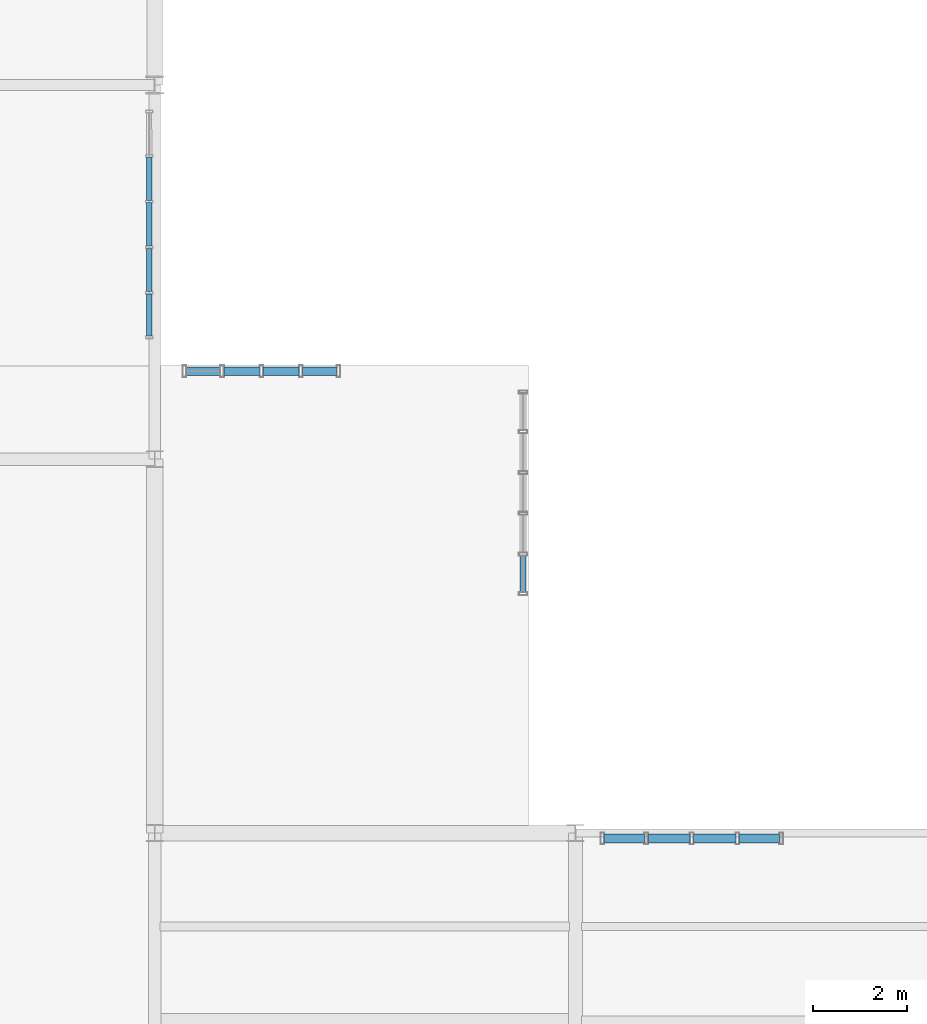
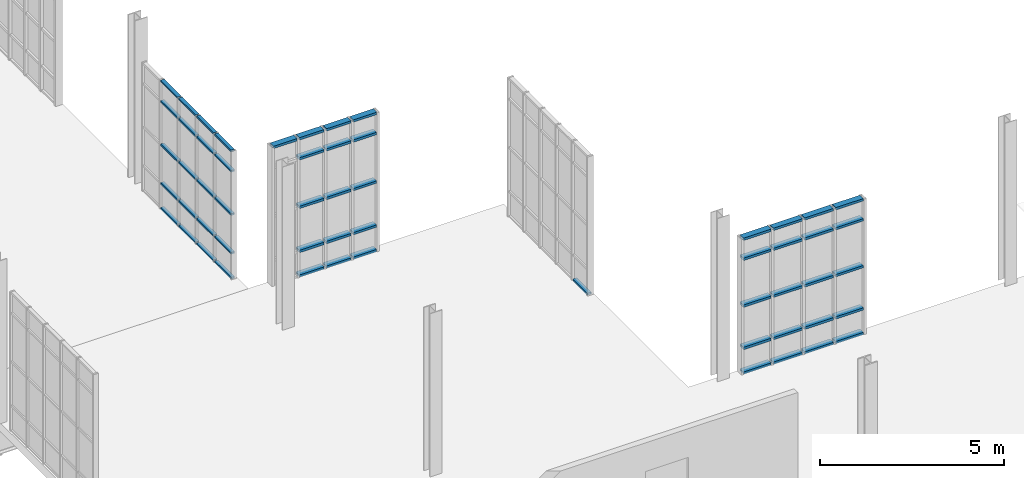
# One storey, part 130 of 189: 57 members, 4 elements without a shape of their own.
"""IFC4 building model written with IfcOpenShell, lengths in metres."""

from ifc_helpers import new_model, si_unit, direction, frame, origin, origin_2d, place, context, subcontext, project, spatial, hollow_rectangle, extrude, material, layer, layer_set, material_profile, profile_set, type_object, element, aggregate, save


model = new_model("IFC4")

# Units and contexts
model_context = context("Model", 3, precision=1e-05, world=origin(), true_north=direction((0.0, 1.0)))
body_context = subcontext(model_context, "Body", "Model", "MODEL_VIEW")
ifc_project = project(units=[si_unit("LENGTHUNIT", "METRE"), si_unit("AREAUNIT", "SQUARE_METRE"), si_unit("VOLUMEUNIT", "CUBIC_METRE"), si_unit("PLANEANGLEUNIT", "RADIAN"), si_unit("MASSUNIT", "GRAM", prefix="KILO"), si_unit("THERMODYNAMICTEMPERATUREUNIT", "KELVIN"), si_unit("POWERUNIT", "WATT")], contexts=[model_context])

# Site, building, storey
site_placement = place(None, origin())
site = spatial("IfcSite", under=ifc_project, at=site_placement, CompositionType="ELEMENT")
building_placement = place(site_placement, origin())
building = spatial("IfcBuilding", under=site, at=building_placement, Name="Zelmaris Science Centre", CompositionType="ELEMENT")
storey_placement = place(building_placement, origin())
storey = spatial("IfcBuildingStorey", under=building, at=storey_placement, Name="L00", CompositionType="ELEMENT", Elevation=0.0)

# Curtain wall, members
ifc_material = material(Name="Anodised architectural aluminium 6063-T6", Category="aluminium")
ifc_layer_1 = layer(ifc_material, 0.219970703125, Name="Anodised architectural aluminium 6063-T6")
ifc_layer_set_1 = layer_set([ifc_layer_1], Name="Anodised architectural aluminium 6063-T6")
curtain_wall_type_1 = type_object("IfcCurtainWallType", Name="Curtain Wall CW-04", PredefinedType="USERDEFINED", material=ifc_layer_set_1)
curtain_wall_1_placement = place(storey_placement, origin())
curtain_wall_1 = element("IfcCurtainWall", 1, at=curtain_wall_1_placement, inside=storey, type_object=curtain_wall_type_1, Name="L00 Unitised curtain wall 88", ObjectType="GLAZED CURTAIN WALL", PredefinedType="USERDEFINED")
ifc_material_profile_1 = material_profile(ifc_material, hollow_rectangle(XDim=0.06005859375, YDim=0.110107421875, WallThickness=0.0029296875, at=origin_2d()), Name="ALU-TRN-60X110")
ifc_profile_set_1 = profile_set([ifc_material_profile_1], Name="Anodised architectural aluminium 6063-T6")
member_type_1 = type_object("IfcMemberType", Name="ALU-TRN-60X110", PredefinedType="USERDEFINED", material=ifc_profile_set_1)
member_1_placement = place(storey_placement, frame((107.882080078125, 70.45849609375, 0.010986328125), z_axis=(0.0, -1.0, 0.0), x_axis=(0.0, 0.0, 1.0)))
member_1 = element("IfcMember", 2, at=member_1_placement, type_object=member_type_1, Name="CW-04 transom 2.1", ObjectType="TRANSOM", PredefinedType="USERDEFINED", context=body_context, shape_type="SweptSolid", body=[
    extrude(hollow_rectangle(XDim=0.06005859375, YDim=0.110107421875, WallThickness=0.0029296875, at=origin_2d()), origin(), (0.0, 0.0, 1.0), 0.92333984375),
])
member_2_placement = place(storey_placement, frame((107.882080078125, 70.45849609375, 0.8349609375), z_axis=(0.0, -1.0, 0.0), x_axis=(0.0, 0.0, 1.0)))
member_2 = element("IfcMember", 3, at=member_2_placement, type_object=member_type_1, Name="CW-04 transom 2.2", ObjectType="TRANSOM", PredefinedType="USERDEFINED", context=body_context, shape_type="SweptSolid", body=[
    extrude(hollow_rectangle(XDim=0.06005859375, YDim=0.110107421875, WallThickness=0.0029296875, at=origin_2d()), origin(), (0.0, 0.0, 1.0), 0.92333984375),
])
member_3_placement = place(storey_placement, frame((107.882080078125, 70.45849609375, 2.116943359375), z_axis=(0.0, -1.0, 0.0), x_axis=(0.0, 0.0, 1.0)))
member_3 = element("IfcMember", 4, at=member_3_placement, type_object=member_type_1, Name="CW-04 transom 2.3", ObjectType="TRANSOM", PredefinedType="USERDEFINED", context=body_context, shape_type="SweptSolid", body=[
    extrude(hollow_rectangle(XDim=0.06005859375, YDim=0.110107421875, WallThickness=0.0029296875, at=origin_2d()), origin(), (0.0, 0.0, 1.0), 0.92333984375),
])
member_4_placement = place(storey_placement, frame((107.882080078125, 70.45849609375, 3.549072265625), z_axis=(0.0, -1.0, 0.0), x_axis=(0.0, 0.0, 1.0)))
member_4 = element("IfcMember", 5, at=member_4_placement, type_object=member_type_1, Name="CW-04 transom 2.4", ObjectType="TRANSOM", PredefinedType="USERDEFINED", context=body_context, shape_type="SweptSolid", body=[
    extrude(hollow_rectangle(XDim=0.06005859375, YDim=0.110107421875, WallThickness=0.0029296875, at=origin_2d()), origin(), (0.0, 0.0, 1.0), 0.92333984375),
])
member_5_placement = place(storey_placement, frame((107.882080078125, 70.45849609375, 4.222900390625), z_axis=(0.0, -1.0, 0.0), x_axis=(0.0, 0.0, 1.0)))
member_5 = element("IfcMember", 6, at=member_5_placement, type_object=member_type_1, Name="CW-04 transom 2.5", ObjectType="TRANSOM", PredefinedType="USERDEFINED", context=body_context, shape_type="SweptSolid", body=[
    extrude(hollow_rectangle(XDim=0.06005859375, YDim=0.110107421875, WallThickness=0.0029296875, at=origin_2d()), origin(), (0.0, 0.0, 1.0), 0.92333984375),
])
member_6_placement = place(storey_placement, frame((107.882080078125, 69.483154296875, 0.010986328125), z_axis=(0.000264340461, -0.999999965062, 0.0), x_axis=(0.0, 0.0, 1.0)))
member_6 = element("IfcMember", 7, at=member_6_placement, type_object=member_type_1, Name="CW-04 transom 3.1", ObjectType="TRANSOM", PredefinedType="USERDEFINED", context=body_context, shape_type="SweptSolid", body=[
    extrude(hollow_rectangle(XDim=0.06005859375, YDim=0.110107421875, WallThickness=0.0029296875, at=origin_2d()), origin(), (0.0, 0.0, 1.0), 0.923583984375),
])
member_7_placement = place(storey_placement, frame((107.882080078125, 69.483154296875, 0.8349609375), z_axis=(0.000264340461, -0.999999965062, 0.0), x_axis=(0.0, 0.0, 1.0)))
member_7 = element("IfcMember", 8, at=member_7_placement, type_object=member_type_1, Name="CW-04 transom 3.2", ObjectType="TRANSOM", PredefinedType="USERDEFINED", context=body_context, shape_type="SweptSolid", body=[
    extrude(hollow_rectangle(XDim=0.06005859375, YDim=0.110107421875, WallThickness=0.0029296875, at=origin_2d()), origin(), (0.0, 0.0, 1.0), 0.923583984375),
])
member_8_placement = place(storey_placement, frame((107.882080078125, 69.483154296875, 2.116943359375), z_axis=(0.000264340461, -0.999999965062, 0.0), x_axis=(0.0, 0.0, 1.0)))
member_8 = element("IfcMember", 9, at=member_8_placement, type_object=member_type_1, Name="CW-04 transom 3.3", ObjectType="TRANSOM", PredefinedType="USERDEFINED", context=body_context, shape_type="SweptSolid", body=[
    extrude(hollow_rectangle(XDim=0.06005859375, YDim=0.110107421875, WallThickness=0.0029296875, at=origin_2d()), origin(), (0.0, 0.0, 1.0), 0.923583984375),
])
member_9_placement = place(storey_placement, frame((107.882080078125, 69.483154296875, 3.549072265625), z_axis=(0.000264340461, -0.999999965062, 0.0), x_axis=(0.0, 0.0, 1.0)))
member_9 = element("IfcMember", 10, at=member_9_placement, type_object=member_type_1, Name="CW-04 transom 3.4", ObjectType="TRANSOM", PredefinedType="USERDEFINED", context=body_context, shape_type="SweptSolid", body=[
    extrude(hollow_rectangle(XDim=0.06005859375, YDim=0.110107421875, WallThickness=0.0029296875, at=origin_2d()), origin(), (0.0, 0.0, 1.0), 0.923583984375),
])
member_10_placement = place(storey_placement, frame((107.882080078125, 69.483154296875, 4.222900390625), z_axis=(0.000264340461, -0.999999965062, 0.0), x_axis=(0.0, 0.0, 1.0)))
member_10 = element("IfcMember", 11, at=member_10_placement, type_object=member_type_1, Name="CW-04 transom 3.5", ObjectType="TRANSOM", PredefinedType="USERDEFINED", context=body_context, shape_type="SweptSolid", body=[
    extrude(hollow_rectangle(XDim=0.06005859375, YDim=0.110107421875, WallThickness=0.0029296875, at=origin_2d()), origin(), (0.0, 0.0, 1.0), 0.923583984375),
])
member_11_placement = place(storey_placement, frame((107.88232421875, 68.507568359375, 0.010986328125), z_axis=(0.0, -1.0, 0.0), x_axis=(0.0, 0.0, 1.0)))
member_11 = element("IfcMember", 12, at=member_11_placement, type_object=member_type_1, Name="CW-04 transom 4.1", ObjectType="TRANSOM", PredefinedType="USERDEFINED", context=body_context, shape_type="SweptSolid", body=[
    extrude(hollow_rectangle(XDim=0.06005859375, YDim=0.110107421875, WallThickness=0.0029296875, at=origin_2d()), origin(), (0.0, 0.0, 1.0), 0.923583984375),
])
member_12_placement = place(storey_placement, frame((107.88232421875, 68.507568359375, 0.8349609375), z_axis=(0.0, -1.0, 0.0), x_axis=(0.0, 0.0, 1.0)))
member_12 = element("IfcMember", 13, at=member_12_placement, type_object=member_type_1, Name="CW-04 transom 4.2", ObjectType="TRANSOM", PredefinedType="USERDEFINED", context=body_context, shape_type="SweptSolid", body=[
    extrude(hollow_rectangle(XDim=0.06005859375, YDim=0.110107421875, WallThickness=0.0029296875, at=origin_2d()), origin(), (0.0, 0.0, 1.0), 0.923583984375),
])
member_13_placement = place(storey_placement, frame((107.88232421875, 68.507568359375, 2.116943359375), z_axis=(0.0, -1.0, 0.0), x_axis=(0.0, 0.0, 1.0)))
member_13 = element("IfcMember", 14, at=member_13_placement, type_object=member_type_1, Name="CW-04 transom 4.3", ObjectType="TRANSOM", PredefinedType="USERDEFINED", context=body_context, shape_type="SweptSolid", body=[
    extrude(hollow_rectangle(XDim=0.06005859375, YDim=0.110107421875, WallThickness=0.0029296875, at=origin_2d()), origin(), (0.0, 0.0, 1.0), 0.923583984375),
])
member_14_placement = place(storey_placement, frame((107.88232421875, 68.507568359375, 3.549072265625), z_axis=(0.0, -1.0, 0.0), x_axis=(0.0, 0.0, 1.0)))
member_14 = element("IfcMember", 15, at=member_14_placement, type_object=member_type_1, Name="CW-04 transom 4.4", ObjectType="TRANSOM", PredefinedType="USERDEFINED", context=body_context, shape_type="SweptSolid", body=[
    extrude(hollow_rectangle(XDim=0.06005859375, YDim=0.110107421875, WallThickness=0.0029296875, at=origin_2d()), origin(), (0.0, 0.0, 1.0), 0.923583984375),
])
member_15_placement = place(storey_placement, frame((107.88232421875, 68.507568359375, 4.222900390625), z_axis=(0.0, -1.0, 0.0), x_axis=(0.0, 0.0, 1.0)))
member_15 = element("IfcMember", 16, at=member_15_placement, type_object=member_type_1, Name="CW-04 transom 4.5", ObjectType="TRANSOM", PredefinedType="USERDEFINED", context=body_context, shape_type="SweptSolid", body=[
    extrude(hollow_rectangle(XDim=0.06005859375, YDim=0.110107421875, WallThickness=0.0029296875, at=origin_2d()), origin(), (0.0, 0.0, 1.0), 0.923583984375),
])
member_16_placement = place(storey_placement, frame((107.88232421875, 67.531982421875, 0.010986328125), z_axis=(0.00027203481, -0.999999962999, 0.0), x_axis=(0.0, 0.0, 1.0)))
member_16 = element("IfcMember", 17, at=member_16_placement, type_object=member_type_1, Name="CW-04 transom 5.1", ObjectType="TRANSOM", PredefinedType="USERDEFINED", context=body_context, shape_type="SweptSolid", body=[
    extrude(hollow_rectangle(XDim=0.06005859375, YDim=0.110107421875, WallThickness=0.0029296875, at=origin_2d()), origin(), (0.0, 0.0, 1.0), 0.8974609375),
])
member_17_placement = place(storey_placement, frame((107.88232421875, 67.531982421875, 0.8349609375), z_axis=(0.00027203481, -0.999999962999, 0.0), x_axis=(0.0, 0.0, 1.0)))
member_17 = element("IfcMember", 18, at=member_17_placement, type_object=member_type_1, Name="CW-04 transom 5.2", ObjectType="TRANSOM", PredefinedType="USERDEFINED", context=body_context, shape_type="SweptSolid", body=[
    extrude(hollow_rectangle(XDim=0.06005859375, YDim=0.110107421875, WallThickness=0.0029296875, at=origin_2d()), origin(), (0.0, 0.0, 1.0), 0.8974609375),
])
member_18_placement = place(storey_placement, frame((107.88232421875, 67.531982421875, 2.116943359375), z_axis=(0.00027203481, -0.999999962999, 0.0), x_axis=(0.0, 0.0, 1.0)))
member_18 = element("IfcMember", 19, at=member_18_placement, type_object=member_type_1, Name="CW-04 transom 5.3", ObjectType="TRANSOM", PredefinedType="USERDEFINED", context=body_context, shape_type="SweptSolid", body=[
    extrude(hollow_rectangle(XDim=0.06005859375, YDim=0.110107421875, WallThickness=0.0029296875, at=origin_2d()), origin(), (0.0, 0.0, 1.0), 0.8974609375),
])
member_19_placement = place(storey_placement, frame((107.88232421875, 67.531982421875, 3.549072265625), z_axis=(0.00027203481, -0.999999962999, 0.0), x_axis=(0.0, 0.0, 1.0)))
member_19 = element("IfcMember", 20, at=member_19_placement, type_object=member_type_1, Name="CW-04 transom 5.4", ObjectType="TRANSOM", PredefinedType="USERDEFINED", context=body_context, shape_type="SweptSolid", body=[
    extrude(hollow_rectangle(XDim=0.06005859375, YDim=0.110107421875, WallThickness=0.0029296875, at=origin_2d()), origin(), (0.0, 0.0, 1.0), 0.8974609375),
])
member_20_placement = place(storey_placement, frame((107.88232421875, 67.531982421875, 4.222900390625), z_axis=(0.00027203481, -0.999999962999, 0.0), x_axis=(0.0, 0.0, 1.0)))
member_20 = element("IfcMember", 21, at=member_20_placement, type_object=member_type_1, Name="CW-04 transom 5.5", ObjectType="TRANSOM", PredefinedType="USERDEFINED", context=body_context, shape_type="SweptSolid", body=[
    extrude(hollow_rectangle(XDim=0.06005859375, YDim=0.110107421875, WallThickness=0.0029296875, at=origin_2d()), origin(), (0.0, 0.0, 1.0), 0.8974609375),
])
aggregate(curtain_wall_1, [member_1, member_2, member_3, member_4, member_5, member_6, member_7, member_8, member_9, member_10, member_11, member_12, member_13, member_14, member_15, member_16, member_17, member_18, member_19, member_20])

# Curtain wall, member
ifc_layer_2 = layer(ifc_material, 0.2099609375, Name="Anodised architectural aluminium 6063-T6")
ifc_layer_set_2 = layer_set([ifc_layer_2], Name="Anodised architectural aluminium 6063-T6")
curtain_wall_type_2 = type_object("IfcCurtainWallType", Name="Curtain Wall CW-03", PredefinedType="USERDEFINED", material=ifc_layer_set_2)
curtain_wall_2_placement = place(storey_placement, origin())
curtain_wall_2 = element("IfcCurtainWall", 22, at=curtain_wall_2_placement, inside=storey, type_object=curtain_wall_type_2, Name="L00 Unitised curtain wall 91", ObjectType="GLAZED CURTAIN WALL", PredefinedType="USERDEFINED")
ifc_material_profile_2 = material_profile(ifc_material, hollow_rectangle(XDim=0.06494140625, YDim=0.1298828125, WallThickness=0.00341796875, at=origin_2d()), Name="ALU-TRN-65X130")
ifc_profile_set_2 = profile_set([ifc_material_profile_2], Name="Anodised architectural aluminium 6063-T6")
member_type_2 = type_object("IfcMemberType", Name="ALU-TRN-65X130", PredefinedType="USERDEFINED", material=ifc_profile_set_2)
member_21_placement = place(storey_placement, frame((115.8798828125, 61.935546875, 0.013427734375), z_axis=(0.0, -1.0, 0.0), x_axis=(0.0, 0.0, 1.0)))
member_21 = element("IfcMember", 23, at=member_21_placement, type_object=member_type_2, Name="CW-03 transom 5.1", ObjectType="TRANSOM", PredefinedType="USERDEFINED", context=body_context, shape_type="SweptSolid", body=[
    extrude(hollow_rectangle(XDim=0.06494140625, YDim=0.1298828125, WallThickness=0.00341796875, at=origin_2d()), origin(), (0.0, 0.0, 1.0), 0.78857421875),
])
aggregate(curtain_wall_2, [member_21])

# Curtain wall, members
ifc_layer_3 = layer(ifc_material, 0.18994140625, Name="Anodised architectural aluminium 6063-T6")
ifc_layer_set_3 = layer_set([ifc_layer_3], Name="Anodised architectural aluminium 6063-T6")
curtain_wall_type_3 = type_object("IfcCurtainWallType", Name="Curtain Wall CW-01", PredefinedType="USERDEFINED", material=ifc_layer_set_3)
curtain_wall_3_placement = place(storey_placement, origin())
curtain_wall_3 = element("IfcCurtainWall", 24, at=curtain_wall_3_placement, inside=storey, type_object=curtain_wall_type_3, Name="L00 Unitised curtain wall 89", ObjectType="GLAZED CURTAIN WALL", PredefinedType="USERDEFINED")
ifc_material_profile_3 = material_profile(ifc_material, hollow_rectangle(XDim=0.080078125, YDim=0.18994140625, WallThickness=0.00439453125, at=origin_2d()), Name="ALU-TRN-80X190")
ifc_profile_set_3 = profile_set([ifc_material_profile_3], Name="Anodised architectural aluminium 6063-T6")
member_type_3 = type_object("IfcMemberType", Name="ALU-TRN-80X190", PredefinedType="USERDEFINED", material=ifc_profile_set_3)
member_22_placement = place(storey_placement, frame((108.672119140625, 65.8798828125, 4.56396484375), z_axis=(1.0, 0.0, 0.0), x_axis=(0.0, 0.0, 1.0)))
member_22 = element("IfcMember", 25, at=member_22_placement, type_object=member_type_3, Name="CW-01 transom 1.5", ObjectType="TRANSOM", PredefinedType="USERDEFINED", context=body_context, shape_type="SweptSolid", body=[
    extrude(hollow_rectangle(XDim=0.080078125, YDim=0.18994140625, WallThickness=0.00439453125, at=origin_2d()), origin(), (0.0, 0.0, 1.0), 0.734375),
])
member_23_placement = place(storey_placement, frame((109.478515625, 65.8798828125, 0.02099609375), z_axis=(1.0, 0.0, 0.0), x_axis=(0.0, 0.0, 1.0)))
member_23 = element("IfcMember", 26, at=member_23_placement, type_object=member_type_3, Name="CW-01 transom 2.1", ObjectType="TRANSOM", PredefinedType="USERDEFINED", context=body_context, shape_type="SweptSolid", body=[
    extrude(hollow_rectangle(XDim=0.080078125, YDim=0.18994140625, WallThickness=0.00439453125, at=origin_2d()), origin(), (0.0, 0.0, 1.0), 0.7705078125),
])
member_24_placement = place(storey_placement, frame((109.478515625, 65.8798828125, 0.8349609375), z_axis=(1.0, 0.0, 0.0), x_axis=(0.0, 0.0, 1.0)))
member_24 = element("IfcMember", 27, at=member_24_placement, type_object=member_type_3, Name="CW-01 transom 2.2", ObjectType="TRANSOM", PredefinedType="USERDEFINED", context=body_context, shape_type="SweptSolid", body=[
    extrude(hollow_rectangle(XDim=0.080078125, YDim=0.18994140625, WallThickness=0.00439453125, at=origin_2d()), origin(), (0.0, 0.0, 1.0), 0.7705078125),
])
member_25_placement = place(storey_placement, frame((109.478515625, 65.8798828125, 2.29248046875), z_axis=(1.0, 0.0, 0.0), x_axis=(0.0, 0.0, 1.0)))
member_25 = element("IfcMember", 28, at=member_25_placement, type_object=member_type_3, Name="CW-01 transom 2.3", ObjectType="TRANSOM", PredefinedType="USERDEFINED", context=body_context, shape_type="SweptSolid", body=[
    extrude(hollow_rectangle(XDim=0.080078125, YDim=0.18994140625, WallThickness=0.00439453125, at=origin_2d()), origin(), (0.0, 0.0, 1.0), 0.7705078125),
])
member_26_placement = place(storey_placement, frame((109.478515625, 65.8798828125, 3.89990234375), z_axis=(1.0, 0.0, 0.0), x_axis=(0.0, 0.0, 1.0)))
member_26 = element("IfcMember", 29, at=member_26_placement, type_object=member_type_3, Name="CW-01 transom 2.4", ObjectType="TRANSOM", PredefinedType="USERDEFINED", context=body_context, shape_type="SweptSolid", body=[
    extrude(hollow_rectangle(XDim=0.080078125, YDim=0.18994140625, WallThickness=0.00439453125, at=origin_2d()), origin(), (0.0, 0.0, 1.0), 0.7705078125),
])
member_27_placement = place(storey_placement, frame((109.478515625, 65.8798828125, 4.56396484375), z_axis=(1.0, 0.0, 0.0), x_axis=(0.0, 0.0, 1.0)))
member_27 = element("IfcMember", 30, at=member_27_placement, type_object=member_type_3, Name="CW-01 transom 2.5", ObjectType="TRANSOM", PredefinedType="USERDEFINED", context=body_context, shape_type="SweptSolid", body=[
    extrude(hollow_rectangle(XDim=0.080078125, YDim=0.18994140625, WallThickness=0.00439453125, at=origin_2d()), origin(), (0.0, 0.0, 1.0), 0.7705078125),
])
member_28_placement = place(storey_placement, frame((110.321044921875, 65.8798828125, 0.02099609375), z_axis=(1.0, 0.0, 0.0), x_axis=(0.0, 0.0, 1.0)))
member_28 = element("IfcMember", 31, at=member_28_placement, type_object=member_type_3, Name="CW-01 transom 3.1", ObjectType="TRANSOM", PredefinedType="USERDEFINED", context=body_context, shape_type="SweptSolid", body=[
    extrude(hollow_rectangle(XDim=0.080078125, YDim=0.18994140625, WallThickness=0.00439453125, at=origin_2d()), origin(), (0.0, 0.0, 1.0), 0.7705078125),
])
member_29_placement = place(storey_placement, frame((110.321044921875, 65.8798828125, 0.8349609375), z_axis=(1.0, 0.0, 0.0), x_axis=(0.0, 0.0, 1.0)))
member_29 = element("IfcMember", 32, at=member_29_placement, type_object=member_type_3, Name="CW-01 transom 3.2", ObjectType="TRANSOM", PredefinedType="USERDEFINED", context=body_context, shape_type="SweptSolid", body=[
    extrude(hollow_rectangle(XDim=0.080078125, YDim=0.18994140625, WallThickness=0.00439453125, at=origin_2d()), origin(), (0.0, 0.0, 1.0), 0.7705078125),
])
member_30_placement = place(storey_placement, frame((110.321044921875, 65.8798828125, 2.29248046875), z_axis=(1.0, 0.0, 0.0), x_axis=(0.0, 0.0, 1.0)))
member_30 = element("IfcMember", 33, at=member_30_placement, type_object=member_type_3, Name="CW-01 transom 3.3", ObjectType="TRANSOM", PredefinedType="USERDEFINED", context=body_context, shape_type="SweptSolid", body=[
    extrude(hollow_rectangle(XDim=0.080078125, YDim=0.18994140625, WallThickness=0.00439453125, at=origin_2d()), origin(), (0.0, 0.0, 1.0), 0.7705078125),
])
member_31_placement = place(storey_placement, frame((110.321044921875, 65.8798828125, 3.89990234375), z_axis=(1.0, 0.0, 0.0), x_axis=(0.0, 0.0, 1.0)))
member_31 = element("IfcMember", 34, at=member_31_placement, type_object=member_type_3, Name="CW-01 transom 3.4", ObjectType="TRANSOM", PredefinedType="USERDEFINED", context=body_context, shape_type="SweptSolid", body=[
    extrude(hollow_rectangle(XDim=0.080078125, YDim=0.18994140625, WallThickness=0.00439453125, at=origin_2d()), origin(), (0.0, 0.0, 1.0), 0.7705078125),
])
member_32_placement = place(storey_placement, frame((110.321044921875, 65.8798828125, 4.56396484375), z_axis=(1.0, 0.0, 0.0), x_axis=(0.0, 0.0, 1.0)))
member_32 = element("IfcMember", 35, at=member_32_placement, type_object=member_type_3, Name="CW-01 transom 3.5", ObjectType="TRANSOM", PredefinedType="USERDEFINED", context=body_context, shape_type="SweptSolid", body=[
    extrude(hollow_rectangle(XDim=0.080078125, YDim=0.18994140625, WallThickness=0.00439453125, at=origin_2d()), origin(), (0.0, 0.0, 1.0), 0.7705078125),
])
member_33_placement = place(storey_placement, frame((111.16357421875, 65.8798828125, 0.02099609375), z_axis=(1.0, 0.0, 0.0), x_axis=(0.0, 0.0, 1.0)))
member_33 = element("IfcMember", 36, at=member_33_placement, type_object=member_type_3, Name="CW-01 transom 4.1", ObjectType="TRANSOM", PredefinedType="USERDEFINED", context=body_context, shape_type="SweptSolid", body=[
    extrude(hollow_rectangle(XDim=0.080078125, YDim=0.18994140625, WallThickness=0.00439453125, at=origin_2d()), origin(), (0.0, 0.0, 1.0), 0.734375),
])
member_34_placement = place(storey_placement, frame((111.16357421875, 65.8798828125, 0.8349609375), z_axis=(1.0, 0.0, 0.0), x_axis=(0.0, 0.0, 1.0)))
member_34 = element("IfcMember", 37, at=member_34_placement, type_object=member_type_3, Name="CW-01 transom 4.2", ObjectType="TRANSOM", PredefinedType="USERDEFINED", context=body_context, shape_type="SweptSolid", body=[
    extrude(hollow_rectangle(XDim=0.080078125, YDim=0.18994140625, WallThickness=0.00439453125, at=origin_2d()), origin(), (0.0, 0.0, 1.0), 0.734375),
])
member_35_placement = place(storey_placement, frame((111.16357421875, 65.8798828125, 2.29248046875), z_axis=(1.0, 0.0, 0.0), x_axis=(0.0, 0.0, 1.0)))
member_35 = element("IfcMember", 38, at=member_35_placement, type_object=member_type_3, Name="CW-01 transom 4.3", ObjectType="TRANSOM", PredefinedType="USERDEFINED", context=body_context, shape_type="SweptSolid", body=[
    extrude(hollow_rectangle(XDim=0.080078125, YDim=0.18994140625, WallThickness=0.00439453125, at=origin_2d()), origin(), (0.0, 0.0, 1.0), 0.734375),
])
member_36_placement = place(storey_placement, frame((111.16357421875, 65.8798828125, 3.89990234375), z_axis=(1.0, 0.0, 0.0), x_axis=(0.0, 0.0, 1.0)))
member_36 = element("IfcMember", 39, at=member_36_placement, type_object=member_type_3, Name="CW-01 transom 4.4", ObjectType="TRANSOM", PredefinedType="USERDEFINED", context=body_context, shape_type="SweptSolid", body=[
    extrude(hollow_rectangle(XDim=0.080078125, YDim=0.18994140625, WallThickness=0.00439453125, at=origin_2d()), origin(), (0.0, 0.0, 1.0), 0.734375),
])
member_37_placement = place(storey_placement, frame((111.16357421875, 65.8798828125, 4.56396484375), z_axis=(1.0, 0.0, 0.0), x_axis=(0.0, 0.0, 1.0)))
member_37 = element("IfcMember", 40, at=member_37_placement, type_object=member_type_3, Name="CW-01 transom 4.5", ObjectType="TRANSOM", PredefinedType="USERDEFINED", context=body_context, shape_type="SweptSolid", body=[
    extrude(hollow_rectangle(XDim=0.080078125, YDim=0.18994140625, WallThickness=0.00439453125, at=origin_2d()), origin(), (0.0, 0.0, 1.0), 0.734375),
])
aggregate(curtain_wall_3, [member_22, member_23, member_24, member_25, member_26, member_27, member_28, member_29, member_30, member_31, member_32, member_33, member_34, member_35, member_36, member_37])

curtain_wall_4_placement = place(storey_placement, origin())
curtain_wall_4 = element("IfcCurtainWall", 41, at=curtain_wall_4_placement, inside=storey, type_object=curtain_wall_type_3, Name="L00 Unitised curtain wall 93", ObjectType="GLAZED CURTAIN WALL", PredefinedType="USERDEFINED")
member_38_placement = place(storey_placement, frame((117.612060546875, 55.88671875, 0.02099609375), z_axis=(1.0, 0.0, 0.0), x_axis=(0.0, 0.0, 1.0)))
member_38 = element("IfcMember", 42, at=member_38_placement, type_object=member_type_3, Name="CW-01 transom 1.1", ObjectType="TRANSOM", PredefinedType="USERDEFINED", context=body_context, shape_type="SweptSolid", body=[
    extrude(hollow_rectangle(XDim=0.080078125, YDim=0.18994140625, WallThickness=0.00439453125, at=origin_2d()), origin(), (0.0, 0.0, 1.0), 0.866943359375),
])
member_39_placement = place(storey_placement, frame((117.612060546875, 55.88671875, 0.8349609375), z_axis=(1.0, 0.0, 0.0), x_axis=(0.0, 0.0, 1.0)))
member_39 = element("IfcMember", 43, at=member_39_placement, type_object=member_type_3, Name="CW-01 transom 1.2", ObjectType="TRANSOM", PredefinedType="USERDEFINED", context=body_context, shape_type="SweptSolid", body=[
    extrude(hollow_rectangle(XDim=0.080078125, YDim=0.18994140625, WallThickness=0.00439453125, at=origin_2d()), origin(), (0.0, 0.0, 1.0), 0.866943359375),
])
member_40_placement = place(storey_placement, frame((117.612060546875, 55.88671875, 2.235595703125), z_axis=(1.0, 0.0, 0.0), x_axis=(0.0, 0.0, 1.0)))
member_40 = element("IfcMember", 44, at=member_40_placement, type_object=member_type_3, Name="CW-01 transom 1.3", ObjectType="TRANSOM", PredefinedType="USERDEFINED", context=body_context, shape_type="SweptSolid", body=[
    extrude(hollow_rectangle(XDim=0.080078125, YDim=0.18994140625, WallThickness=0.00439453125, at=origin_2d()), origin(), (0.0, 0.0, 1.0), 0.866943359375),
])
member_41_placement = place(storey_placement, frame((117.612060546875, 55.88671875, 3.785888671875), z_axis=(1.0, 0.0, 0.0), x_axis=(0.0, 0.0, 1.0)))
member_41 = element("IfcMember", 45, at=member_41_placement, type_object=member_type_3, Name="CW-01 transom 1.4", ObjectType="TRANSOM", PredefinedType="USERDEFINED", context=body_context, shape_type="SweptSolid", body=[
    extrude(hollow_rectangle(XDim=0.080078125, YDim=0.18994140625, WallThickness=0.00439453125, at=origin_2d()), origin(), (0.0, 0.0, 1.0), 0.866943359375),
])
member_42_placement = place(storey_placement, frame((117.612060546875, 55.88671875, 4.449951171875), z_axis=(1.0, 0.0, 0.0), x_axis=(0.0, 0.0, 1.0)))
member_42 = element("IfcMember", 46, at=member_42_placement, type_object=member_type_3, Name="CW-01 transom 1.5", ObjectType="TRANSOM", PredefinedType="USERDEFINED", context=body_context, shape_type="SweptSolid", body=[
    extrude(hollow_rectangle(XDim=0.080078125, YDim=0.18994140625, WallThickness=0.00439453125, at=origin_2d()), origin(), (0.0, 0.0, 1.0), 0.866943359375),
])
member_43_placement = place(storey_placement, frame((118.551025390625, 55.886474609375, 0.02099609375), z_axis=(1.0, 0.0, 0.0), x_axis=(0.0, 0.0, 1.0)))
member_43 = element("IfcMember", 47, at=member_43_placement, type_object=member_type_3, Name="CW-01 transom 2.1", ObjectType="TRANSOM", PredefinedType="USERDEFINED", context=body_context, shape_type="SweptSolid", body=[
    extrude(hollow_rectangle(XDim=0.080078125, YDim=0.18994140625, WallThickness=0.00439453125, at=origin_2d()), origin(), (0.0, 0.0, 1.0), 0.903076171875),
])
member_44_placement = place(storey_placement, frame((118.551025390625, 55.886474609375, 0.8349609375), z_axis=(1.0, 0.0, 0.0), x_axis=(0.0, 0.0, 1.0)))
member_44 = element("IfcMember", 48, at=member_44_placement, type_object=member_type_3, Name="CW-01 transom 2.2", ObjectType="TRANSOM", PredefinedType="USERDEFINED", context=body_context, shape_type="SweptSolid", body=[
    extrude(hollow_rectangle(XDim=0.080078125, YDim=0.18994140625, WallThickness=0.00439453125, at=origin_2d()), origin(), (0.0, 0.0, 1.0), 0.903076171875),
])
member_45_placement = place(storey_placement, frame((118.551025390625, 55.886474609375, 2.235595703125), z_axis=(1.0, 0.0, 0.0), x_axis=(0.0, 0.0, 1.0)))
member_45 = element("IfcMember", 49, at=member_45_placement, type_object=member_type_3, Name="CW-01 transom 2.3", ObjectType="TRANSOM", PredefinedType="USERDEFINED", context=body_context, shape_type="SweptSolid", body=[
    extrude(hollow_rectangle(XDim=0.080078125, YDim=0.18994140625, WallThickness=0.00439453125, at=origin_2d()), origin(), (0.0, 0.0, 1.0), 0.903076171875),
])
member_46_placement = place(storey_placement, frame((118.551025390625, 55.886474609375, 3.785888671875), z_axis=(1.0, 0.0, 0.0), x_axis=(0.0, 0.0, 1.0)))
member_46 = element("IfcMember", 50, at=member_46_placement, type_object=member_type_3, Name="CW-01 transom 2.4", ObjectType="TRANSOM", PredefinedType="USERDEFINED", context=body_context, shape_type="SweptSolid", body=[
    extrude(hollow_rectangle(XDim=0.080078125, YDim=0.18994140625, WallThickness=0.00439453125, at=origin_2d()), origin(), (0.0, 0.0, 1.0), 0.903076171875),
])
member_47_placement = place(storey_placement, frame((118.551025390625, 55.886474609375, 4.449951171875), z_axis=(1.0, 0.0, 0.0), x_axis=(0.0, 0.0, 1.0)))
member_47 = element("IfcMember", 51, at=member_47_placement, type_object=member_type_3, Name="CW-01 transom 2.5", ObjectType="TRANSOM", PredefinedType="USERDEFINED", context=body_context, shape_type="SweptSolid", body=[
    extrude(hollow_rectangle(XDim=0.080078125, YDim=0.18994140625, WallThickness=0.00439453125, at=origin_2d()), origin(), (0.0, 0.0, 1.0), 0.903076171875),
])
member_48_placement = place(storey_placement, frame((119.52587890625, 55.886474609375, 0.02099609375), z_axis=(0.999999963457, -0.000270343326, 0.0), x_axis=(0.0, 0.0, 1.0)))
member_48 = element("IfcMember", 52, at=member_48_placement, type_object=member_type_3, Name="CW-01 transom 3.1", ObjectType="TRANSOM", PredefinedType="USERDEFINED", context=body_context, shape_type="SweptSolid", body=[
    extrude(hollow_rectangle(XDim=0.080078125, YDim=0.18994140625, WallThickness=0.00439453125, at=origin_2d()), origin(), (0.0, 0.0, 1.0), 0.903076171875),
])
member_49_placement = place(storey_placement, frame((119.52587890625, 55.886474609375, 0.8349609375), z_axis=(0.999999963457, -0.000270343326, 0.0), x_axis=(0.0, 0.0, 1.0)))
member_49 = element("IfcMember", 53, at=member_49_placement, type_object=member_type_3, Name="CW-01 transom 3.2", ObjectType="TRANSOM", PredefinedType="USERDEFINED", context=body_context, shape_type="SweptSolid", body=[
    extrude(hollow_rectangle(XDim=0.080078125, YDim=0.18994140625, WallThickness=0.00439453125, at=origin_2d()), origin(), (0.0, 0.0, 1.0), 0.903076171875),
])
member_50_placement = place(storey_placement, frame((119.52587890625, 55.886474609375, 2.235595703125), z_axis=(0.999999963457, -0.000270343326, 0.0), x_axis=(0.0, 0.0, 1.0)))
member_50 = element("IfcMember", 54, at=member_50_placement, type_object=member_type_3, Name="CW-01 transom 3.3", ObjectType="TRANSOM", PredefinedType="USERDEFINED", context=body_context, shape_type="SweptSolid", body=[
    extrude(hollow_rectangle(XDim=0.080078125, YDim=0.18994140625, WallThickness=0.00439453125, at=origin_2d()), origin(), (0.0, 0.0, 1.0), 0.903076171875),
])
member_51_placement = place(storey_placement, frame((119.52587890625, 55.886474609375, 3.785888671875), z_axis=(0.999999963457, -0.000270343326, 0.0), x_axis=(0.0, 0.0, 1.0)))
member_51 = element("IfcMember", 55, at=member_51_placement, type_object=member_type_3, Name="CW-01 transom 3.4", ObjectType="TRANSOM", PredefinedType="USERDEFINED", context=body_context, shape_type="SweptSolid", body=[
    extrude(hollow_rectangle(XDim=0.080078125, YDim=0.18994140625, WallThickness=0.00439453125, at=origin_2d()), origin(), (0.0, 0.0, 1.0), 0.903076171875),
])
member_52_placement = place(storey_placement, frame((119.52587890625, 55.886474609375, 4.449951171875), z_axis=(0.999999963457, -0.000270343326, 0.0), x_axis=(0.0, 0.0, 1.0)))
member_52 = element("IfcMember", 56, at=member_52_placement, type_object=member_type_3, Name="CW-01 transom 3.5", ObjectType="TRANSOM", PredefinedType="USERDEFINED", context=body_context, shape_type="SweptSolid", body=[
    extrude(hollow_rectangle(XDim=0.080078125, YDim=0.18994140625, WallThickness=0.00439453125, at=origin_2d()), origin(), (0.0, 0.0, 1.0), 0.903076171875),
])
member_53_placement = place(storey_placement, frame((120.5009765625, 55.88623046875, 0.02099609375), z_axis=(0.999999960348, -0.000281610803, 0.0), x_axis=(0.0, 0.0, 1.0)))
member_53 = element("IfcMember", 57, at=member_53_placement, type_object=member_type_3, Name="CW-01 transom 4.1", ObjectType="TRANSOM", PredefinedType="USERDEFINED", context=body_context, shape_type="SweptSolid", body=[
    extrude(hollow_rectangle(XDim=0.080078125, YDim=0.18994140625, WallThickness=0.00439453125, at=origin_2d()), origin(), (0.0, 0.0, 1.0), 0.866943359375),
])
member_54_placement = place(storey_placement, frame((120.5009765625, 55.88623046875, 0.8349609375), z_axis=(0.999999960348, -0.000281610803, 0.0), x_axis=(0.0, 0.0, 1.0)))
member_54 = element("IfcMember", 58, at=member_54_placement, type_object=member_type_3, Name="CW-01 transom 4.2", ObjectType="TRANSOM", PredefinedType="USERDEFINED", context=body_context, shape_type="SweptSolid", body=[
    extrude(hollow_rectangle(XDim=0.080078125, YDim=0.18994140625, WallThickness=0.00439453125, at=origin_2d()), origin(), (0.0, 0.0, 1.0), 0.866943359375),
])
member_55_placement = place(storey_placement, frame((120.5009765625, 55.88623046875, 2.235595703125), z_axis=(0.999999960348, -0.000281610803, 0.0), x_axis=(0.0, 0.0, 1.0)))
member_55 = element("IfcMember", 59, at=member_55_placement, type_object=member_type_3, Name="CW-01 transom 4.3", ObjectType="TRANSOM", PredefinedType="USERDEFINED", context=body_context, shape_type="SweptSolid", body=[
    extrude(hollow_rectangle(XDim=0.080078125, YDim=0.18994140625, WallThickness=0.00439453125, at=origin_2d()), origin(), (0.0, 0.0, 1.0), 0.866943359375),
])
member_56_placement = place(storey_placement, frame((120.5009765625, 55.88623046875, 3.785888671875), z_axis=(0.999999960348, -0.000281610803, 0.0), x_axis=(0.0, 0.0, 1.0)))
member_56 = element("IfcMember", 60, at=member_56_placement, type_object=member_type_3, Name="CW-01 transom 4.4", ObjectType="TRANSOM", PredefinedType="USERDEFINED", context=body_context, shape_type="SweptSolid", body=[
    extrude(hollow_rectangle(XDim=0.080078125, YDim=0.18994140625, WallThickness=0.00439453125, at=origin_2d()), origin(), (0.0, 0.0, 1.0), 0.866943359375),
])
member_57_placement = place(storey_placement, frame((120.5009765625, 55.88623046875, 4.449951171875), z_axis=(0.999999960348, -0.000281610803, 0.0), x_axis=(0.0, 0.0, 1.0)))
member_57 = element("IfcMember", 61, at=member_57_placement, type_object=member_type_3, Name="CW-01 transom 4.5", ObjectType="TRANSOM", PredefinedType="USERDEFINED", context=body_context, shape_type="SweptSolid", body=[
    extrude(hollow_rectangle(XDim=0.080078125, YDim=0.18994140625, WallThickness=0.00439453125, at=origin_2d()), origin(), (0.0, 0.0, 1.0), 0.866943359375),
])
aggregate(curtain_wall_4, [member_38, member_39, member_40, member_41, member_42, member_43, member_44, member_45, member_46, member_47, member_48, member_49, member_50, member_51, member_52, member_53, member_54, member_55, member_56, member_57])

save(model, "model.ifc")
